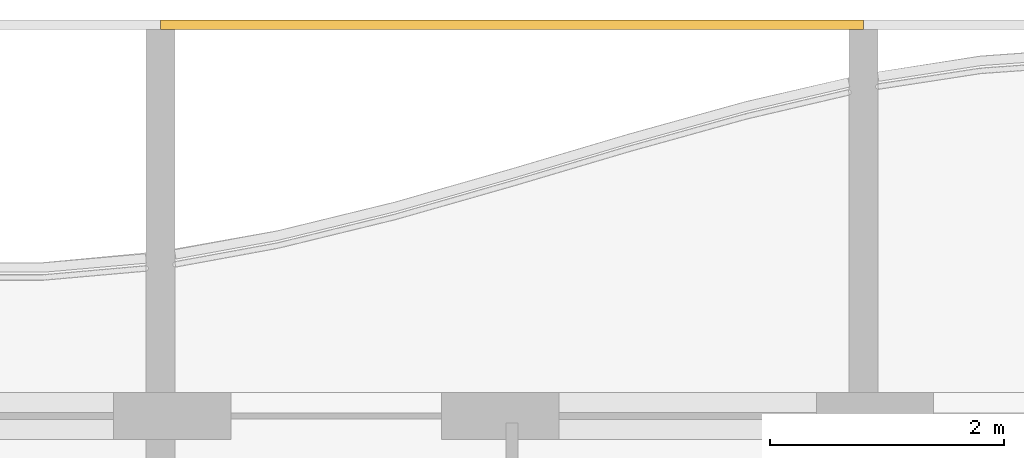
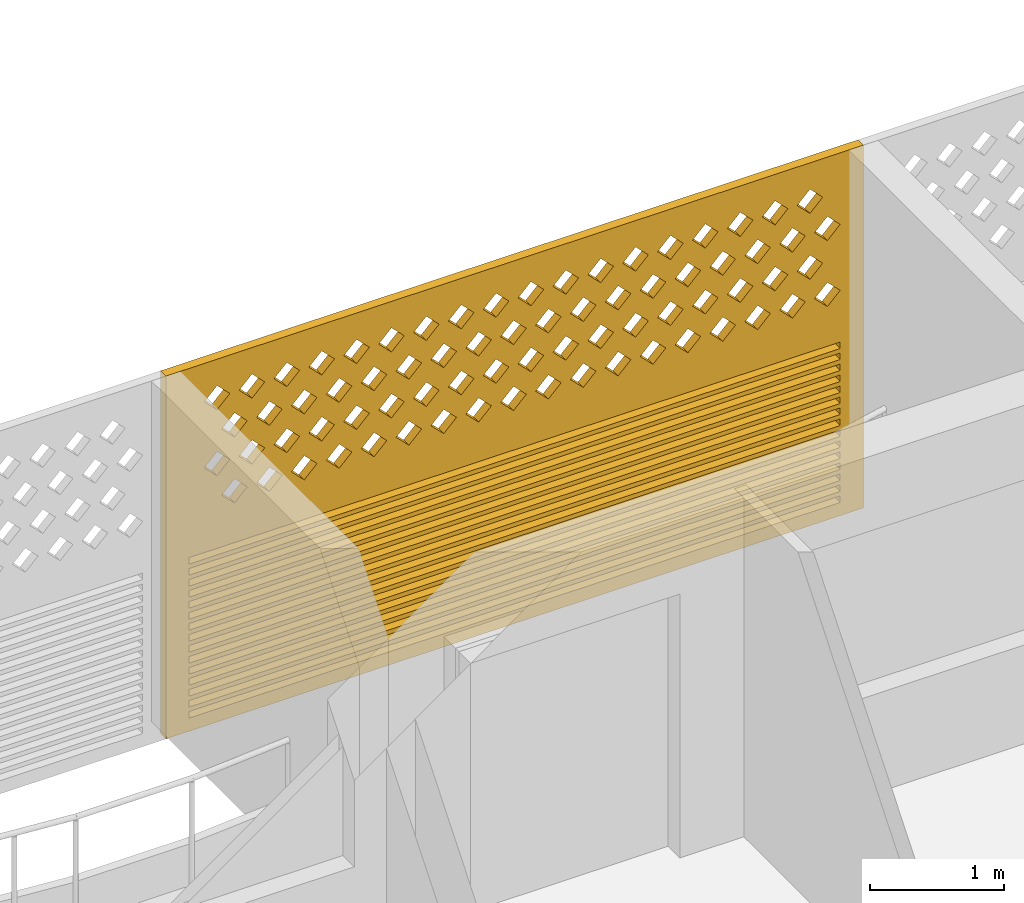
# One storey, part 24 of 28: 1 covering.
"""IFC4 building model written with IfcOpenShell, lengths in metres."""

from ifc_helpers import new_model, si_unit, direction, frame, origin, place, context, subcontext, project, spatial, polyline, outline, extrude, source, transform, mapped, material, material_profile, profile_set, type_object, element, save


model = new_model("IFC4")

# Units and contexts
model_context = context("Model", 3, precision=1e-05, world=origin(), true_north=direction((0.0, 1.0)))
body_context = subcontext(model_context, "Body", "Model", "MODEL_VIEW")
ifc_project = project(units=[si_unit("LENGTHUNIT", "METRE"), si_unit("AREAUNIT", "SQUARE_METRE"), si_unit("VOLUMEUNIT", "CUBIC_METRE"), si_unit("PLANEANGLEUNIT", "RADIAN"), si_unit("MASSUNIT", "GRAM", prefix="KILO")], contexts=[model_context])

# Site, building, storey
site_placement = place(None, origin())
site = spatial("IfcSite", under=ifc_project, at=site_placement, CompositionType="ELEMENT")
building_placement = place(site_placement, origin())
building = spatial("IfcBuilding", under=site, at=building_placement, Name="Poui Terraces", CompositionType="ELEMENT")
storey_placement = place(building_placement, frame((0.0, 0.0, 181.800048828125)))
storey = spatial("IfcBuildingStorey", under=building, at=storey_placement, Name="L50", CompositionType="ELEMENT", Elevation=181.800048828125)

# Covering
ifc_material = material(Name="Terracotta screen", Category="masonry")
ifc_material_profile = material_profile(ifc_material, outline(polyline([(-3.0, -1.64990234375), (3.0, -1.64990234375), (3.0, 1.64990234375), (-3.0, 1.64990234375), (-3.0, -1.64990234375)]), holes=[polyline([(-2.800048828125, 0.39990234375), (-2.68994140625, 0.2900390625), (-2.580078125, 0.39990234375), (-2.68994140625, 0.510009765625), (-2.800048828125, 0.39990234375)]), polyline([(-2.5, 0.39990234375), (-2.389892578125, 0.2900390625), (-2.280029296875, 0.39990234375), (-2.389892578125, 0.510009765625), (-2.5, 0.39990234375)]), polyline([(-2.199951171875, 0.39990234375), (-2.090087890625, 0.2900390625), (-1.97998046875, 0.39990234375), (-2.090087890625, 0.510009765625), (-2.199951171875, 0.39990234375)]), polyline([(-1.89990234375, 0.39990234375), (-1.7900390625, 0.2900390625), (-1.679931640625, 0.39990234375), (-1.7900390625, 0.510009765625), (-1.89990234375, 0.39990234375)]), polyline([(-1.60009765625, 0.39990234375), (-1.489990234375, 0.2900390625), (-1.3798828125, 0.39990234375), (-1.489990234375, 0.510009765625), (-1.60009765625, 0.39990234375)]), polyline([(-1.300048828125, 0.39990234375), (-1.18994140625, 0.2900390625), (-1.080078125, 0.39990234375), (-1.18994140625, 0.510009765625), (-1.300048828125, 0.39990234375)]), polyline([(-1.0, 0.39990234375), (-0.889892578125, 0.2900390625), (-0.780029296875, 0.39990234375), (-0.889892578125, 0.510009765625), (-1.0, 0.39990234375)]), polyline([(-0.699951171875, 0.39990234375), (-0.590087890625, 0.2900390625), (-0.47998046875, 0.39990234375), (-0.590087890625, 0.510009765625), (-0.699951171875, 0.39990234375)]), polyline([(-0.39990234375, 0.39990234375), (-0.2900390625, 0.2900390625), (-0.179931640625, 0.39990234375), (-0.2900390625, 0.510009765625), (-0.39990234375, 0.39990234375)]), polyline([(-0.10009765625, 0.39990234375), (0.010009765625, 0.2900390625), (0.1201171875, 0.39990234375), (0.010009765625, 0.510009765625), (-0.10009765625, 0.39990234375)]), polyline([(0.199951171875, 0.39990234375), (0.31005859375, 0.2900390625), (0.419921875, 0.39990234375), (0.31005859375, 0.510009765625), (0.199951171875, 0.39990234375)]), polyline([(0.5, 0.39990234375), (0.610107421875, 0.2900390625), (0.719970703125, 0.39990234375), (0.610107421875, 0.510009765625), (0.5, 0.39990234375)]), polyline([(0.800048828125, 0.39990234375), (0.909912109375, 0.2900390625), (1.02001953125, 0.39990234375), (0.909912109375, 0.510009765625), (0.800048828125, 0.39990234375)]), polyline([(1.10009765625, 0.39990234375), (1.2099609375, 0.2900390625), (1.320068359375, 0.39990234375), (1.2099609375, 0.510009765625), (1.10009765625, 0.39990234375)]), polyline([(1.39990234375, 0.39990234375), (1.510009765625, 0.2900390625), (1.6201171875, 0.39990234375), (1.510009765625, 0.510009765625), (1.39990234375, 0.39990234375)]), polyline([(1.699951171875, 0.39990234375), (1.81005859375, 0.2900390625), (1.919921875, 0.39990234375), (1.81005859375, 0.510009765625), (1.699951171875, 0.39990234375)]), polyline([(2.0, 0.39990234375), (2.110107421875, 0.2900390625), (2.219970703125, 0.39990234375), (2.110107421875, 0.510009765625), (2.0, 0.39990234375)]), polyline([(2.300048828125, 0.39990234375), (2.409912109375, 0.2900390625), (2.52001953125, 0.39990234375), (2.409912109375, 0.510009765625), (2.300048828125, 0.39990234375)]), polyline([(-2.64990234375, 0.699951171875), (-2.5400390625, 0.590087890625), (-2.429931640625, 0.699951171875), (-2.5400390625, 0.81005859375), (-2.64990234375, 0.699951171875)]), polyline([(-2.35009765625, 0.699951171875), (-2.239990234375, 0.590087890625), (-2.1298828125, 0.699951171875), (-2.239990234375, 0.81005859375), (-2.35009765625, 0.699951171875)]), polyline([(-2.050048828125, 0.699951171875), (-1.93994140625, 0.590087890625), (-1.830078125, 0.699951171875), (-1.93994140625, 0.81005859375), (-2.050048828125, 0.699951171875)]), polyline([(-1.75, 0.699951171875), (-1.639892578125, 0.590087890625), (-1.530029296875, 0.699951171875), (-1.639892578125, 0.81005859375), (-1.75, 0.699951171875)]), polyline([(-1.449951171875, 0.699951171875), (-1.340087890625, 0.590087890625), (-1.22998046875, 0.699951171875), (-1.340087890625, 0.81005859375), (-1.449951171875, 0.699951171875)]), polyline([(-1.14990234375, 0.699951171875), (-1.0400390625, 0.590087890625), (-0.929931640625, 0.699951171875), (-1.0400390625, 0.81005859375), (-1.14990234375, 0.699951171875)]), polyline([(-0.85009765625, 0.699951171875), (-0.739990234375, 0.590087890625), (-0.6298828125, 0.699951171875), (-0.739990234375, 0.81005859375), (-0.85009765625, 0.699951171875)]), polyline([(-0.550048828125, 0.699951171875), (-0.43994140625, 0.590087890625), (-0.330078125, 0.699951171875), (-0.43994140625, 0.81005859375), (-0.550048828125, 0.699951171875)]), polyline([(-0.25, 0.699951171875), (-0.139892578125, 0.590087890625), (-0.030029296875, 0.699951171875), (-0.139892578125, 0.81005859375), (-0.25, 0.699951171875)]), polyline([(0.050048828125, 0.699951171875), (0.159912109375, 0.590087890625), (0.27001953125, 0.699951171875), (0.159912109375, 0.81005859375), (0.050048828125, 0.699951171875)]), polyline([(0.35009765625, 0.699951171875), (0.4599609375, 0.590087890625), (0.570068359375, 0.699951171875), (0.4599609375, 0.81005859375), (0.35009765625, 0.699951171875)]), polyline([(0.64990234375, 0.699951171875), (0.760009765625, 0.590087890625), (0.8701171875, 0.699951171875), (0.760009765625, 0.81005859375), (0.64990234375, 0.699951171875)]), polyline([(0.949951171875, 0.699951171875), (1.06005859375, 0.590087890625), (1.169921875, 0.699951171875), (1.06005859375, 0.81005859375), (0.949951171875, 0.699951171875)]), polyline([(1.25, 0.699951171875), (1.360107421875, 0.590087890625), (1.469970703125, 0.699951171875), (1.360107421875, 0.81005859375), (1.25, 0.699951171875)]), polyline([(1.550048828125, 0.699951171875), (1.659912109375, 0.590087890625), (1.77001953125, 0.699951171875), (1.659912109375, 0.81005859375), (1.550048828125, 0.699951171875)]), polyline([(1.85009765625, 0.699951171875), (1.9599609375, 0.590087890625), (2.070068359375, 0.699951171875), (1.9599609375, 0.81005859375), (1.85009765625, 0.699951171875)]), polyline([(2.14990234375, 0.699951171875), (2.260009765625, 0.590087890625), (2.3701171875, 0.699951171875), (2.260009765625, 0.81005859375), (2.14990234375, 0.699951171875)]), polyline([(2.449951171875, 0.699951171875), (2.56005859375, 0.590087890625), (2.669921875, 0.699951171875), (2.56005859375, 0.81005859375), (2.449951171875, 0.699951171875)]), polyline([(-2.800048828125, 1.0), (-2.68994140625, 0.889892578125), (-2.580078125, 1.0), (-2.68994140625, 1.110107421875), (-2.800048828125, 1.0)]), polyline([(-2.5, 1.0), (-2.389892578125, 0.889892578125), (-2.280029296875, 1.0), (-2.389892578125, 1.110107421875), (-2.5, 1.0)]), polyline([(-2.199951171875, 1.0), (-2.090087890625, 0.889892578125), (-1.97998046875, 1.0), (-2.090087890625, 1.110107421875), (-2.199951171875, 1.0)]), polyline([(-1.89990234375, 1.0), (-1.7900390625, 0.889892578125), (-1.679931640625, 1.0), (-1.7900390625, 1.110107421875), (-1.89990234375, 1.0)]), polyline([(-1.60009765625, 1.0), (-1.489990234375, 0.889892578125), (-1.3798828125, 1.0), (-1.489990234375, 1.110107421875), (-1.60009765625, 1.0)]), polyline([(-1.300048828125, 1.0), (-1.18994140625, 0.889892578125), (-1.080078125, 1.0), (-1.18994140625, 1.110107421875), (-1.300048828125, 1.0)]), polyline([(-1.0, 1.0), (-0.889892578125, 0.889892578125), (-0.780029296875, 1.0), (-0.889892578125, 1.110107421875), (-1.0, 1.0)]), polyline([(-0.699951171875, 1.0), (-0.590087890625, 0.889892578125), (-0.47998046875, 1.0), (-0.590087890625, 1.110107421875), (-0.699951171875, 1.0)]), polyline([(-0.39990234375, 1.0), (-0.2900390625, 0.889892578125), (-0.179931640625, 1.0), (-0.2900390625, 1.110107421875), (-0.39990234375, 1.0)]), polyline([(-0.10009765625, 1.0), (0.010009765625, 0.889892578125), (0.1201171875, 1.0), (0.010009765625, 1.110107421875), (-0.10009765625, 1.0)]), polyline([(0.199951171875, 1.0), (0.31005859375, 0.889892578125), (0.419921875, 1.0), (0.31005859375, 1.110107421875), (0.199951171875, 1.0)]), polyline([(0.5, 1.0), (0.610107421875, 0.889892578125), (0.719970703125, 1.0), (0.610107421875, 1.110107421875), (0.5, 1.0)]), polyline([(0.800048828125, 1.0), (0.909912109375, 0.889892578125), (1.02001953125, 1.0), (0.909912109375, 1.110107421875), (0.800048828125, 1.0)]), polyline([(1.10009765625, 1.0), (1.2099609375, 0.889892578125), (1.320068359375, 1.0), (1.2099609375, 1.110107421875), (1.10009765625, 1.0)]), polyline([(1.39990234375, 1.0), (1.510009765625, 0.889892578125), (1.6201171875, 1.0), (1.510009765625, 1.110107421875), (1.39990234375, 1.0)]), polyline([(1.699951171875, 1.0), (1.81005859375, 0.889892578125), (1.919921875, 1.0), (1.81005859375, 1.110107421875), (1.699951171875, 1.0)]), polyline([(2.0, 1.0), (2.110107421875, 0.889892578125), (2.219970703125, 1.0), (2.110107421875, 1.110107421875), (2.0, 1.0)]), polyline([(2.300048828125, 1.0), (2.409912109375, 0.889892578125), (2.52001953125, 1.0), (2.409912109375, 1.110107421875), (2.300048828125, 1.0)]), polyline([(-2.64990234375, 1.300048828125), (-2.5400390625, 1.18994140625), (-2.429931640625, 1.300048828125), (-2.5400390625, 1.409912109375), (-2.64990234375, 1.300048828125)]), polyline([(-2.35009765625, 1.300048828125), (-2.239990234375, 1.18994140625), (-2.1298828125, 1.300048828125), (-2.239990234375, 1.409912109375), (-2.35009765625, 1.300048828125)]), polyline([(-2.050048828125, 1.300048828125), (-1.93994140625, 1.18994140625), (-1.830078125, 1.300048828125), (-1.93994140625, 1.409912109375), (-2.050048828125, 1.300048828125)]), polyline([(-1.75, 1.300048828125), (-1.639892578125, 1.18994140625), (-1.530029296875, 1.300048828125), (-1.639892578125, 1.409912109375), (-1.75, 1.300048828125)]), polyline([(-1.449951171875, 1.300048828125), (-1.340087890625, 1.18994140625), (-1.22998046875, 1.300048828125), (-1.340087890625, 1.409912109375), (-1.449951171875, 1.300048828125)]), polyline([(-1.14990234375, 1.300048828125), (-1.0400390625, 1.18994140625), (-0.929931640625, 1.300048828125), (-1.0400390625, 1.409912109375), (-1.14990234375, 1.300048828125)]), polyline([(-0.85009765625, 1.300048828125), (-0.739990234375, 1.18994140625), (-0.6298828125, 1.300048828125), (-0.739990234375, 1.409912109375), (-0.85009765625, 1.300048828125)]), polyline([(-0.550048828125, 1.300048828125), (-0.43994140625, 1.18994140625), (-0.330078125, 1.300048828125), (-0.43994140625, 1.409912109375), (-0.550048828125, 1.300048828125)]), polyline([(-0.25, 1.300048828125), (-0.139892578125, 1.18994140625), (-0.030029296875, 1.300048828125), (-0.139892578125, 1.409912109375), (-0.25, 1.300048828125)]), polyline([(0.050048828125, 1.300048828125), (0.159912109375, 1.18994140625), (0.27001953125, 1.300048828125), (0.159912109375, 1.409912109375), (0.050048828125, 1.300048828125)]), polyline([(0.35009765625, 1.300048828125), (0.4599609375, 1.18994140625), (0.570068359375, 1.300048828125), (0.4599609375, 1.409912109375), (0.35009765625, 1.300048828125)]), polyline([(0.64990234375, 1.300048828125), (0.760009765625, 1.18994140625), (0.8701171875, 1.300048828125), (0.760009765625, 1.409912109375), (0.64990234375, 1.300048828125)]), polyline([(0.949951171875, 1.300048828125), (1.06005859375, 1.18994140625), (1.169921875, 1.300048828125), (1.06005859375, 1.409912109375), (0.949951171875, 1.300048828125)]), polyline([(1.25, 1.300048828125), (1.360107421875, 1.18994140625), (1.469970703125, 1.300048828125), (1.360107421875, 1.409912109375), (1.25, 1.300048828125)]), polyline([(1.550048828125, 1.300048828125), (1.659912109375, 1.18994140625), (1.77001953125, 1.300048828125), (1.659912109375, 1.409912109375), (1.550048828125, 1.300048828125)]), polyline([(1.85009765625, 1.300048828125), (1.9599609375, 1.18994140625), (2.070068359375, 1.300048828125), (1.9599609375, 1.409912109375), (1.85009765625, 1.300048828125)]), polyline([(2.14990234375, 1.300048828125), (2.260009765625, 1.18994140625), (2.3701171875, 1.300048828125), (2.260009765625, 1.409912109375), (2.14990234375, 1.300048828125)]), polyline([(2.449951171875, 1.300048828125), (2.56005859375, 1.18994140625), (2.669921875, 1.300048828125), (2.56005859375, 1.409912109375), (2.449951171875, 1.300048828125)]), polyline([(-2.800048828125, -1.530029296875), (2.800048828125, -1.530029296875), (2.800048828125, -1.469970703125), (-2.800048828125, -1.469970703125), (-2.800048828125, -1.530029296875)]), polyline([(-2.800048828125, -1.429931640625), (2.800048828125, -1.429931640625), (2.800048828125, -1.3701171875), (-2.800048828125, -1.3701171875), (-2.800048828125, -1.429931640625)]), polyline([(-2.800048828125, -1.330078125), (2.800048828125, -1.330078125), (2.800048828125, -1.27001953125), (-2.800048828125, -1.27001953125), (-2.800048828125, -1.330078125)]), polyline([(-2.800048828125, -1.22998046875), (2.800048828125, -1.22998046875), (2.800048828125, -1.169921875), (-2.800048828125, -1.169921875), (-2.800048828125, -1.22998046875)]), polyline([(-2.800048828125, -1.1298828125), (2.800048828125, -1.1298828125), (2.800048828125, -1.070068359375), (-2.800048828125, -1.070068359375), (-2.800048828125, -1.1298828125)]), polyline([(-2.800048828125, -1.030029296875), (2.800048828125, -1.030029296875), (2.800048828125, -0.969970703125), (-2.800048828125, -0.969970703125), (-2.800048828125, -1.030029296875)]), polyline([(-2.800048828125, -0.929931640625), (2.800048828125, -0.929931640625), (2.800048828125, -0.8701171875), (-2.800048828125, -0.8701171875), (-2.800048828125, -0.929931640625)]), polyline([(-2.800048828125, -0.830078125), (2.800048828125, -0.830078125), (2.800048828125, -0.77001953125), (-2.800048828125, -0.77001953125), (-2.800048828125, -0.830078125)]), polyline([(-2.800048828125, -0.72998046875), (2.800048828125, -0.72998046875), (2.800048828125, -0.669921875), (-2.800048828125, -0.669921875), (-2.800048828125, -0.72998046875)]), polyline([(-2.800048828125, -0.6298828125), (2.800048828125, -0.6298828125), (2.800048828125, -0.570068359375), (-2.800048828125, -0.570068359375), (-2.800048828125, -0.6298828125)]), polyline([(-2.800048828125, -0.530029296875), (2.800048828125, -0.530029296875), (2.800048828125, -0.469970703125), (-2.800048828125, -0.469970703125), (-2.800048828125, -0.530029296875)]), polyline([(-2.800048828125, -0.429931640625), (2.800048828125, -0.429931640625), (2.800048828125, -0.3701171875), (-2.800048828125, -0.3701171875), (-2.800048828125, -0.429931640625)]), polyline([(-2.800048828125, -0.330078125), (2.800048828125, -0.330078125), (2.800048828125, -0.27001953125), (-2.800048828125, -0.27001953125), (-2.800048828125, -0.330078125)]), polyline([(-2.800048828125, -0.22998046875), (2.800048828125, -0.22998046875), (2.800048828125, -0.169921875), (-2.800048828125, -0.169921875), (-2.800048828125, -0.22998046875)]), polyline([(-2.800048828125, -0.1298828125), (2.800048828125, -0.1298828125), (2.800048828125, -0.070068359375), (-2.800048828125, -0.070068359375), (-2.800048828125, -0.1298828125)])]), Name="TERRACOTTA SCREEN AND JALOUSIE LOUVRE 6000X3300")
ifc_profile_set = profile_set([ifc_material_profile], Name="Terracotta screen")
covering_type = type_object("IfcCoveringType", Name="TERRACOTTA SCREEN AND JALOUSIE LOUVRE 6000X3300", PredefinedType="CLADDING", material=ifc_profile_set)
shared_shape = source(origin(), body_context, "Body", "SweptSolid", [
    extrude(outline(polyline([(-3.0, -1.64990234375), (3.0, -1.64990234375), (3.0, 1.64990234375), (-3.0, 1.64990234375), (-3.0, -1.64990234375)]), holes=[polyline([(-2.800048828125, 0.39990234375), (-2.68994140625, 0.2900390625), (-2.580078125, 0.39990234375), (-2.68994140625, 0.510009765625), (-2.800048828125, 0.39990234375)]), polyline([(-2.5, 0.39990234375), (-2.389892578125, 0.2900390625), (-2.280029296875, 0.39990234375), (-2.389892578125, 0.510009765625), (-2.5, 0.39990234375)]), polyline([(-2.199951171875, 0.39990234375), (-2.090087890625, 0.2900390625), (-1.97998046875, 0.39990234375), (-2.090087890625, 0.510009765625), (-2.199951171875, 0.39990234375)]), polyline([(-1.89990234375, 0.39990234375), (-1.7900390625, 0.2900390625), (-1.679931640625, 0.39990234375), (-1.7900390625, 0.510009765625), (-1.89990234375, 0.39990234375)]), polyline([(-1.60009765625, 0.39990234375), (-1.489990234375, 0.2900390625), (-1.3798828125, 0.39990234375), (-1.489990234375, 0.510009765625), (-1.60009765625, 0.39990234375)]), polyline([(-1.300048828125, 0.39990234375), (-1.18994140625, 0.2900390625), (-1.080078125, 0.39990234375), (-1.18994140625, 0.510009765625), (-1.300048828125, 0.39990234375)]), polyline([(-1.0, 0.39990234375), (-0.889892578125, 0.2900390625), (-0.780029296875, 0.39990234375), (-0.889892578125, 0.510009765625), (-1.0, 0.39990234375)]), polyline([(-0.699951171875, 0.39990234375), (-0.590087890625, 0.2900390625), (-0.47998046875, 0.39990234375), (-0.590087890625, 0.510009765625), (-0.699951171875, 0.39990234375)]), polyline([(-0.39990234375, 0.39990234375), (-0.2900390625, 0.2900390625), (-0.179931640625, 0.39990234375), (-0.2900390625, 0.510009765625), (-0.39990234375, 0.39990234375)]), polyline([(-0.10009765625, 0.39990234375), (0.010009765625, 0.2900390625), (0.1201171875, 0.39990234375), (0.010009765625, 0.510009765625), (-0.10009765625, 0.39990234375)]), polyline([(0.199951171875, 0.39990234375), (0.31005859375, 0.2900390625), (0.419921875, 0.39990234375), (0.31005859375, 0.510009765625), (0.199951171875, 0.39990234375)]), polyline([(0.5, 0.39990234375), (0.610107421875, 0.2900390625), (0.719970703125, 0.39990234375), (0.610107421875, 0.510009765625), (0.5, 0.39990234375)]), polyline([(0.800048828125, 0.39990234375), (0.909912109375, 0.2900390625), (1.02001953125, 0.39990234375), (0.909912109375, 0.510009765625), (0.800048828125, 0.39990234375)]), polyline([(1.10009765625, 0.39990234375), (1.2099609375, 0.2900390625), (1.320068359375, 0.39990234375), (1.2099609375, 0.510009765625), (1.10009765625, 0.39990234375)]), polyline([(1.39990234375, 0.39990234375), (1.510009765625, 0.2900390625), (1.6201171875, 0.39990234375), (1.510009765625, 0.510009765625), (1.39990234375, 0.39990234375)]), polyline([(1.699951171875, 0.39990234375), (1.81005859375, 0.2900390625), (1.919921875, 0.39990234375), (1.81005859375, 0.510009765625), (1.699951171875, 0.39990234375)]), polyline([(2.0, 0.39990234375), (2.110107421875, 0.2900390625), (2.219970703125, 0.39990234375), (2.110107421875, 0.510009765625), (2.0, 0.39990234375)]), polyline([(2.300048828125, 0.39990234375), (2.409912109375, 0.2900390625), (2.52001953125, 0.39990234375), (2.409912109375, 0.510009765625), (2.300048828125, 0.39990234375)]), polyline([(-2.64990234375, 0.699951171875), (-2.5400390625, 0.590087890625), (-2.429931640625, 0.699951171875), (-2.5400390625, 0.81005859375), (-2.64990234375, 0.699951171875)]), polyline([(-2.35009765625, 0.699951171875), (-2.239990234375, 0.590087890625), (-2.1298828125, 0.699951171875), (-2.239990234375, 0.81005859375), (-2.35009765625, 0.699951171875)]), polyline([(-2.050048828125, 0.699951171875), (-1.93994140625, 0.590087890625), (-1.830078125, 0.699951171875), (-1.93994140625, 0.81005859375), (-2.050048828125, 0.699951171875)]), polyline([(-1.75, 0.699951171875), (-1.639892578125, 0.590087890625), (-1.530029296875, 0.699951171875), (-1.639892578125, 0.81005859375), (-1.75, 0.699951171875)]), polyline([(-1.449951171875, 0.699951171875), (-1.340087890625, 0.590087890625), (-1.22998046875, 0.699951171875), (-1.340087890625, 0.81005859375), (-1.449951171875, 0.699951171875)]), polyline([(-1.14990234375, 0.699951171875), (-1.0400390625, 0.590087890625), (-0.929931640625, 0.699951171875), (-1.0400390625, 0.81005859375), (-1.14990234375, 0.699951171875)]), polyline([(-0.85009765625, 0.699951171875), (-0.739990234375, 0.590087890625), (-0.6298828125, 0.699951171875), (-0.739990234375, 0.81005859375), (-0.85009765625, 0.699951171875)]), polyline([(-0.550048828125, 0.699951171875), (-0.43994140625, 0.590087890625), (-0.330078125, 0.699951171875), (-0.43994140625, 0.81005859375), (-0.550048828125, 0.699951171875)]), polyline([(-0.25, 0.699951171875), (-0.139892578125, 0.590087890625), (-0.030029296875, 0.699951171875), (-0.139892578125, 0.81005859375), (-0.25, 0.699951171875)]), polyline([(0.050048828125, 0.699951171875), (0.159912109375, 0.590087890625), (0.27001953125, 0.699951171875), (0.159912109375, 0.81005859375), (0.050048828125, 0.699951171875)]), polyline([(0.35009765625, 0.699951171875), (0.4599609375, 0.590087890625), (0.570068359375, 0.699951171875), (0.4599609375, 0.81005859375), (0.35009765625, 0.699951171875)]), polyline([(0.64990234375, 0.699951171875), (0.760009765625, 0.590087890625), (0.8701171875, 0.699951171875), (0.760009765625, 0.81005859375), (0.64990234375, 0.699951171875)]), polyline([(0.949951171875, 0.699951171875), (1.06005859375, 0.590087890625), (1.169921875, 0.699951171875), (1.06005859375, 0.81005859375), (0.949951171875, 0.699951171875)]), polyline([(1.25, 0.699951171875), (1.360107421875, 0.590087890625), (1.469970703125, 0.699951171875), (1.360107421875, 0.81005859375), (1.25, 0.699951171875)]), polyline([(1.550048828125, 0.699951171875), (1.659912109375, 0.590087890625), (1.77001953125, 0.699951171875), (1.659912109375, 0.81005859375), (1.550048828125, 0.699951171875)]), polyline([(1.85009765625, 0.699951171875), (1.9599609375, 0.590087890625), (2.070068359375, 0.699951171875), (1.9599609375, 0.81005859375), (1.85009765625, 0.699951171875)]), polyline([(2.14990234375, 0.699951171875), (2.260009765625, 0.590087890625), (2.3701171875, 0.699951171875), (2.260009765625, 0.81005859375), (2.14990234375, 0.699951171875)]), polyline([(2.449951171875, 0.699951171875), (2.56005859375, 0.590087890625), (2.669921875, 0.699951171875), (2.56005859375, 0.81005859375), (2.449951171875, 0.699951171875)]), polyline([(-2.800048828125, 1.0), (-2.68994140625, 0.889892578125), (-2.580078125, 1.0), (-2.68994140625, 1.110107421875), (-2.800048828125, 1.0)]), polyline([(-2.5, 1.0), (-2.389892578125, 0.889892578125), (-2.280029296875, 1.0), (-2.389892578125, 1.110107421875), (-2.5, 1.0)]), polyline([(-2.199951171875, 1.0), (-2.090087890625, 0.889892578125), (-1.97998046875, 1.0), (-2.090087890625, 1.110107421875), (-2.199951171875, 1.0)]), polyline([(-1.89990234375, 1.0), (-1.7900390625, 0.889892578125), (-1.679931640625, 1.0), (-1.7900390625, 1.110107421875), (-1.89990234375, 1.0)]), polyline([(-1.60009765625, 1.0), (-1.489990234375, 0.889892578125), (-1.3798828125, 1.0), (-1.489990234375, 1.110107421875), (-1.60009765625, 1.0)]), polyline([(-1.300048828125, 1.0), (-1.18994140625, 0.889892578125), (-1.080078125, 1.0), (-1.18994140625, 1.110107421875), (-1.300048828125, 1.0)]), polyline([(-1.0, 1.0), (-0.889892578125, 0.889892578125), (-0.780029296875, 1.0), (-0.889892578125, 1.110107421875), (-1.0, 1.0)]), polyline([(-0.699951171875, 1.0), (-0.590087890625, 0.889892578125), (-0.47998046875, 1.0), (-0.590087890625, 1.110107421875), (-0.699951171875, 1.0)]), polyline([(-0.39990234375, 1.0), (-0.2900390625, 0.889892578125), (-0.179931640625, 1.0), (-0.2900390625, 1.110107421875), (-0.39990234375, 1.0)]), polyline([(-0.10009765625, 1.0), (0.010009765625, 0.889892578125), (0.1201171875, 1.0), (0.010009765625, 1.110107421875), (-0.10009765625, 1.0)]), polyline([(0.199951171875, 1.0), (0.31005859375, 0.889892578125), (0.419921875, 1.0), (0.31005859375, 1.110107421875), (0.199951171875, 1.0)]), polyline([(0.5, 1.0), (0.610107421875, 0.889892578125), (0.719970703125, 1.0), (0.610107421875, 1.110107421875), (0.5, 1.0)]), polyline([(0.800048828125, 1.0), (0.909912109375, 0.889892578125), (1.02001953125, 1.0), (0.909912109375, 1.110107421875), (0.800048828125, 1.0)]), polyline([(1.10009765625, 1.0), (1.2099609375, 0.889892578125), (1.320068359375, 1.0), (1.2099609375, 1.110107421875), (1.10009765625, 1.0)]), polyline([(1.39990234375, 1.0), (1.510009765625, 0.889892578125), (1.6201171875, 1.0), (1.510009765625, 1.110107421875), (1.39990234375, 1.0)]), polyline([(1.699951171875, 1.0), (1.81005859375, 0.889892578125), (1.919921875, 1.0), (1.81005859375, 1.110107421875), (1.699951171875, 1.0)]), polyline([(2.0, 1.0), (2.110107421875, 0.889892578125), (2.219970703125, 1.0), (2.110107421875, 1.110107421875), (2.0, 1.0)]), polyline([(2.300048828125, 1.0), (2.409912109375, 0.889892578125), (2.52001953125, 1.0), (2.409912109375, 1.110107421875), (2.300048828125, 1.0)]), polyline([(-2.64990234375, 1.300048828125), (-2.5400390625, 1.18994140625), (-2.429931640625, 1.300048828125), (-2.5400390625, 1.409912109375), (-2.64990234375, 1.300048828125)]), polyline([(-2.35009765625, 1.300048828125), (-2.239990234375, 1.18994140625), (-2.1298828125, 1.300048828125), (-2.239990234375, 1.409912109375), (-2.35009765625, 1.300048828125)]), polyline([(-2.050048828125, 1.300048828125), (-1.93994140625, 1.18994140625), (-1.830078125, 1.300048828125), (-1.93994140625, 1.409912109375), (-2.050048828125, 1.300048828125)]), polyline([(-1.75, 1.300048828125), (-1.639892578125, 1.18994140625), (-1.530029296875, 1.300048828125), (-1.639892578125, 1.409912109375), (-1.75, 1.300048828125)]), polyline([(-1.449951171875, 1.300048828125), (-1.340087890625, 1.18994140625), (-1.22998046875, 1.300048828125), (-1.340087890625, 1.409912109375), (-1.449951171875, 1.300048828125)]), polyline([(-1.14990234375, 1.300048828125), (-1.0400390625, 1.18994140625), (-0.929931640625, 1.300048828125), (-1.0400390625, 1.409912109375), (-1.14990234375, 1.300048828125)]), polyline([(-0.85009765625, 1.300048828125), (-0.739990234375, 1.18994140625), (-0.6298828125, 1.300048828125), (-0.739990234375, 1.409912109375), (-0.85009765625, 1.300048828125)]), polyline([(-0.550048828125, 1.300048828125), (-0.43994140625, 1.18994140625), (-0.330078125, 1.300048828125), (-0.43994140625, 1.409912109375), (-0.550048828125, 1.300048828125)]), polyline([(-0.25, 1.300048828125), (-0.139892578125, 1.18994140625), (-0.030029296875, 1.300048828125), (-0.139892578125, 1.409912109375), (-0.25, 1.300048828125)]), polyline([(0.050048828125, 1.300048828125), (0.159912109375, 1.18994140625), (0.27001953125, 1.300048828125), (0.159912109375, 1.409912109375), (0.050048828125, 1.300048828125)]), polyline([(0.35009765625, 1.300048828125), (0.4599609375, 1.18994140625), (0.570068359375, 1.300048828125), (0.4599609375, 1.409912109375), (0.35009765625, 1.300048828125)]), polyline([(0.64990234375, 1.300048828125), (0.760009765625, 1.18994140625), (0.8701171875, 1.300048828125), (0.760009765625, 1.409912109375), (0.64990234375, 1.300048828125)]), polyline([(0.949951171875, 1.300048828125), (1.06005859375, 1.18994140625), (1.169921875, 1.300048828125), (1.06005859375, 1.409912109375), (0.949951171875, 1.300048828125)]), polyline([(1.25, 1.300048828125), (1.360107421875, 1.18994140625), (1.469970703125, 1.300048828125), (1.360107421875, 1.409912109375), (1.25, 1.300048828125)]), polyline([(1.550048828125, 1.300048828125), (1.659912109375, 1.18994140625), (1.77001953125, 1.300048828125), (1.659912109375, 1.409912109375), (1.550048828125, 1.300048828125)]), polyline([(1.85009765625, 1.300048828125), (1.9599609375, 1.18994140625), (2.070068359375, 1.300048828125), (1.9599609375, 1.409912109375), (1.85009765625, 1.300048828125)]), polyline([(2.14990234375, 1.300048828125), (2.260009765625, 1.18994140625), (2.3701171875, 1.300048828125), (2.260009765625, 1.409912109375), (2.14990234375, 1.300048828125)]), polyline([(2.449951171875, 1.300048828125), (2.56005859375, 1.18994140625), (2.669921875, 1.300048828125), (2.56005859375, 1.409912109375), (2.449951171875, 1.300048828125)]), polyline([(-2.800048828125, -1.530029296875), (2.800048828125, -1.530029296875), (2.800048828125, -1.469970703125), (-2.800048828125, -1.469970703125), (-2.800048828125, -1.530029296875)]), polyline([(-2.800048828125, -1.429931640625), (2.800048828125, -1.429931640625), (2.800048828125, -1.3701171875), (-2.800048828125, -1.3701171875), (-2.800048828125, -1.429931640625)]), polyline([(-2.800048828125, -1.330078125), (2.800048828125, -1.330078125), (2.800048828125, -1.27001953125), (-2.800048828125, -1.27001953125), (-2.800048828125, -1.330078125)]), polyline([(-2.800048828125, -1.22998046875), (2.800048828125, -1.22998046875), (2.800048828125, -1.169921875), (-2.800048828125, -1.169921875), (-2.800048828125, -1.22998046875)]), polyline([(-2.800048828125, -1.1298828125), (2.800048828125, -1.1298828125), (2.800048828125, -1.070068359375), (-2.800048828125, -1.070068359375), (-2.800048828125, -1.1298828125)]), polyline([(-2.800048828125, -1.030029296875), (2.800048828125, -1.030029296875), (2.800048828125, -0.969970703125), (-2.800048828125, -0.969970703125), (-2.800048828125, -1.030029296875)]), polyline([(-2.800048828125, -0.929931640625), (2.800048828125, -0.929931640625), (2.800048828125, -0.8701171875), (-2.800048828125, -0.8701171875), (-2.800048828125, -0.929931640625)]), polyline([(-2.800048828125, -0.830078125), (2.800048828125, -0.830078125), (2.800048828125, -0.77001953125), (-2.800048828125, -0.77001953125), (-2.800048828125, -0.830078125)]), polyline([(-2.800048828125, -0.72998046875), (2.800048828125, -0.72998046875), (2.800048828125, -0.669921875), (-2.800048828125, -0.669921875), (-2.800048828125, -0.72998046875)]), polyline([(-2.800048828125, -0.6298828125), (2.800048828125, -0.6298828125), (2.800048828125, -0.570068359375), (-2.800048828125, -0.570068359375), (-2.800048828125, -0.6298828125)]), polyline([(-2.800048828125, -0.530029296875), (2.800048828125, -0.530029296875), (2.800048828125, -0.469970703125), (-2.800048828125, -0.469970703125), (-2.800048828125, -0.530029296875)]), polyline([(-2.800048828125, -0.429931640625), (2.800048828125, -0.429931640625), (2.800048828125, -0.3701171875), (-2.800048828125, -0.3701171875), (-2.800048828125, -0.429931640625)]), polyline([(-2.800048828125, -0.330078125), (2.800048828125, -0.330078125), (2.800048828125, -0.27001953125), (-2.800048828125, -0.27001953125), (-2.800048828125, -0.330078125)]), polyline([(-2.800048828125, -0.22998046875), (2.800048828125, -0.22998046875), (2.800048828125, -0.169921875), (-2.800048828125, -0.169921875), (-2.800048828125, -0.22998046875)]), polyline([(-2.800048828125, -0.1298828125), (2.800048828125, -0.1298828125), (2.800048828125, -0.070068359375), (-2.800048828125, -0.070068359375), (-2.800048828125, -0.1298828125)])]), origin(), (0.0, 0.0, 1.0), 0.080078125),
])
covering_placement = place(storey_placement, frame((63.0, 44.5, 1.449951171875), z_axis=(0.0, 1.0, 0.0), x_axis=(-1.0, 0.0, 0.0)))
element("IfcCovering", 1, at=covering_placement, inside=storey, type_object=covering_type, Name="SOLAR SCREEN AND JALOUSIE LOUVRE", PredefinedType="CLADDING", context=body_context, shape_type="MappedRepresentation", body=[
    mapped(shared_shape, transform((0.0, 0.0, 0.0))),
])

save(model, "model.ifc")
